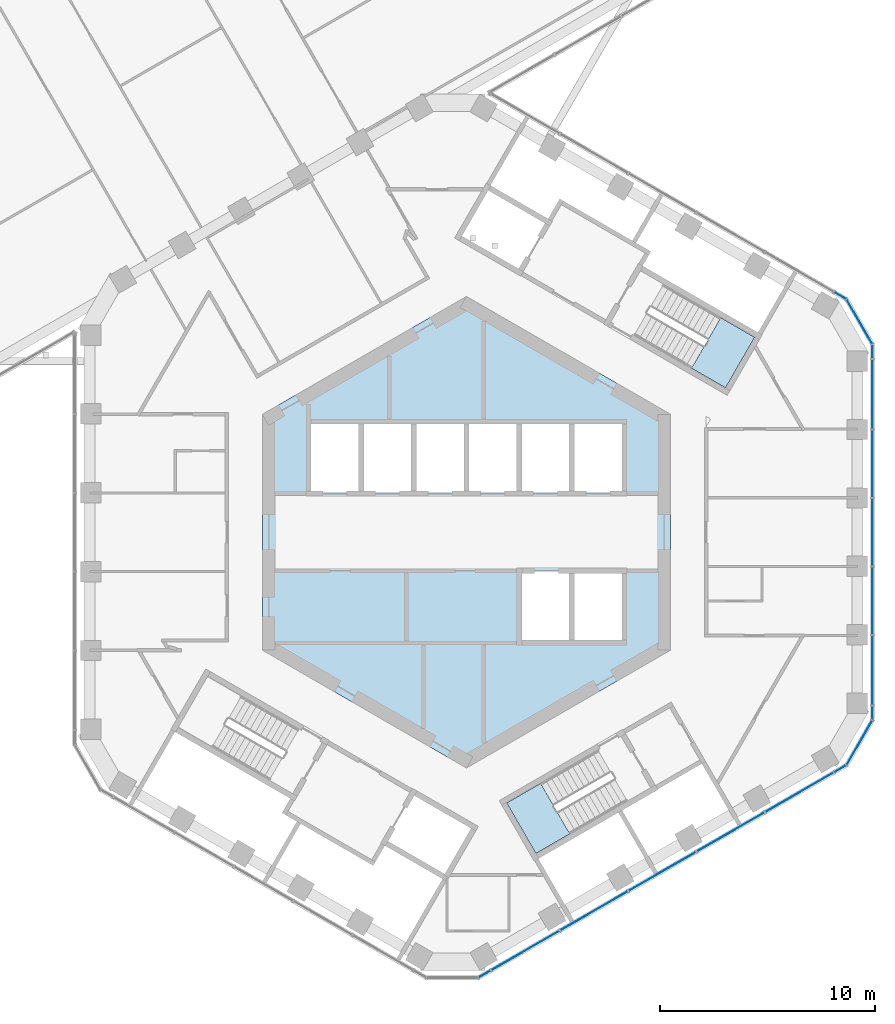
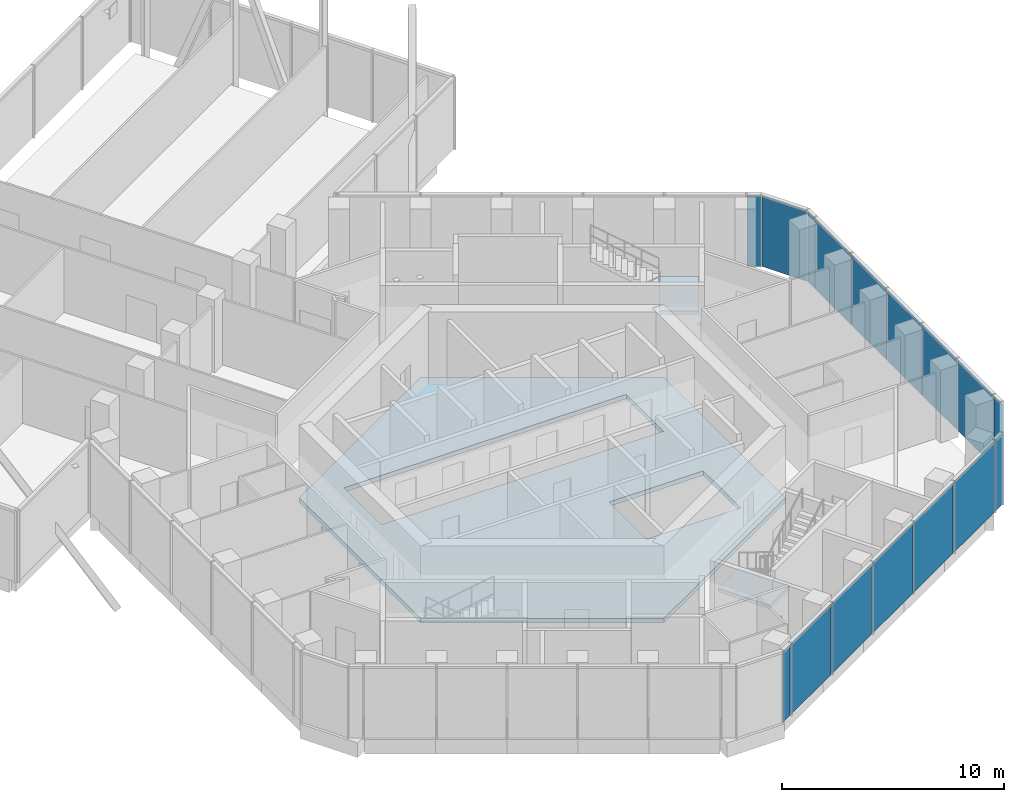
# One storey, part 12 of 21: 17 plates, 3 slabs, 7 elements without a shape of their own.
"""IFC4 building model written with IfcOpenShell, lengths in metres."""

from ifc_helpers import new_model, si_unit, direction, frame, origin, origin_2d, place, context, subcontext, project, spatial, polyline, rectangle, outline, extrude, material, layer, layer_set, type_object, element, aggregate, save


model = new_model("IFC4")

# Units and contexts
model_context = context("Model", 3, precision=1e-05, world=origin(), true_north=direction((0.0, 1.0)))
body_context = subcontext(model_context, "Body", "Model", "MODEL_VIEW")
ifc_project = project(units=[si_unit("LENGTHUNIT", "METRE"), si_unit("AREAUNIT", "SQUARE_METRE"), si_unit("VOLUMEUNIT", "CUBIC_METRE"), si_unit("PLANEANGLEUNIT", "RADIAN"), si_unit("MASSUNIT", "GRAM", prefix="KILO")], contexts=[model_context])

# Site, building, storey
site_placement = place(None, origin())
site = spatial("IfcSite", under=ifc_project, at=site_placement, CompositionType="ELEMENT")
building_placement = place(site_placement, origin())
building = spatial("IfcBuilding", under=site, at=building_placement, Name="Ayvan Gate Tower", CompositionType="ELEMENT")
storey_placement = place(building_placement, frame((0.0, 0.0, 190.699951171875)))
storey = spatial("IfcBuildingStorey", under=building, at=storey_placement, Name="L51", CompositionType="ELEMENT", Elevation=190.699951171875)

# Slab
ifc_material_1 = material(Name="Concrete C40/50", Category="concrete")
ifc_layer_1 = layer(ifc_material_1, 0.25)
ifc_layer_set_1 = layer_set([ifc_layer_1], Name="Concrete C40/50")
slab_type_1 = type_object("IfcSlabType", Name="SL-CORE-250", PredefinedType="FLOOR", material=ifc_layer_set_1)
slab_1_placement = place(storey_placement, frame((0.0, 0.0, -0.25)))
element("IfcSlab", 1, at=slab_1_placement, inside=storey, type_object=slab_type_1, Name="CS-L51", PredefinedType="FLOOR", context=body_context, shape_type="SweptSolid", body=[
    extrude(outline(polyline([(9.5, -5.48486328125), (0.0, -10.9697265625), (-9.5, -5.48486328125), (-9.5, 5.48486328125), (0.0, 10.9697265625), (9.5, 5.48486328125), (9.5, -5.48486328125)]), holes=[polyline([(-7.35009765625, 5.14990234375), (-7.35009765625, 1.800048828125), (7.35009765625, 1.800048828125), (7.35009765625, 5.14990234375), (-7.35009765625, 5.14990234375)]), polyline([(2.449951171875, -1.800048828125), (2.449951171875, -5.14990234375), (7.35009765625, -5.14990234375), (7.35009765625, -1.800048828125), (2.449951171875, -1.800048828125)])]), origin(), (0.0, 0.0, 1.0), 0.25),
])

# Stair, slab
stair_type = type_object("IfcStairType", Name="ST-EXIT", PredefinedType="HALF_TURN_STAIR", material=ifc_material_1)
stair_1_placement = place(storey_placement, origin())
stair_1 = element("IfcStair", 2, at=stair_1_placement, inside=storey, type_object=stair_type, Name="L51 Exit Stair S1", PredefinedType="HALF_TURN_STAIR")
ifc_layer_2 = layer(ifc_material_1, 0.199951171875)
ifc_layer_set_2 = layer_set([ifc_layer_2], Name="Concrete C40/50")
slab_type_2 = type_object("IfcSlabType", Name="SL-LANDING-200", PredefinedType="LANDING", material=ifc_layer_set_2)
slab_2_placement = place(storey_placement, frame((0.0, 0.0, 1.800048828125)))
slab_2 = element("IfcSlab", 3, at=slab_2_placement, type_object=slab_type_2, Name="STS1 landing 1", PredefinedType="LANDING", context=body_context, shape_type="SweptSolid", body=[
    extrude(outline(polyline([(10.473388671875, 7.630615234375), (12.049560546875, 6.720458984375), (13.404541015625, 9.0673828125), (11.828369140625, 9.9775390625), (10.473388671875, 7.630615234375)])), origin(), (0.0, 0.0, 1.0), 0.199951171875),
])
aggregate(stair_1, [slab_2])

stair_2_placement = place(storey_placement, origin())
stair_2 = element("IfcStair", 4, at=stair_2_placement, inside=storey, type_object=stair_type, Name="L51 Exit Stair S3", PredefinedType="HALF_TURN_STAIR")
slab_3_placement = place(storey_placement, frame((0.0, 0.0, 1.800048828125)))
slab_3 = element("IfcSlab", 5, at=slab_3_placement, type_object=slab_type_2, Name="STS3 landing 1", PredefinedType="LANDING", context=body_context, shape_type="SweptSolid", body=[
    extrude(outline(polyline([(3.449951171875, -11.685546875), (1.873779296875, -12.595458984375), (3.228759765625, -14.9423828125), (4.804931640625, -14.032470703125), (3.449951171875, -11.685546875)])), origin(), (0.0, 0.0, 1.0), 0.199951171875),
])
aggregate(stair_2, [slab_3])

# Curtain wall, plates
ifc_material_2 = material(Name="Bronze anodised aluminium", Category="aluminium")
ifc_layer_3 = layer(ifc_material_2, 0.199951171875)
ifc_layer_set_3 = layer_set([ifc_layer_3], Name="Bronze anodised aluminium")
curtain_wall_type_1 = type_object("IfcCurtainWallType", Name="Stick curtain wall CW-2", PredefinedType="NOTDEFINED", material=ifc_layer_set_3)
curtain_wall_1_placement = place(storey_placement, origin())
curtain_wall_1 = element("IfcCurtainWall", 6, at=curtain_wall_1_placement, inside=storey, type_object=curtain_wall_type_1, Name="Stick curtain wall CW-2 L51", PredefinedType="NOTDEFINED")
ifc_material_3 = material(Name="Clear low-iron laminated glass", Category="glass")
ifc_layer_4 = layer(ifc_material_3, 0.028076171875)
ifc_layer_set_4 = layer_set([ifc_layer_4], Name="Clear low-iron laminated glass")
plate_type_1 = type_object("IfcPlateType", Name="Stick curtain wall CW-2 glass panel", PredefinedType="CURTAIN_PANEL", material=ifc_layer_set_4)
plate_1_placement = place(storey_placement, frame((2.726318359375, -19.46826171875, 0.0), z_axis=(0.0, 0.0, 1.0), x_axis=(0.866025403784, 0.5, 0.0)))
plate_1 = element("IfcPlate", 7, at=plate_1_placement, type_object=plate_type_1, Name="CW-2 glass panel 1", PredefinedType="CURTAIN_PANEL", context=body_context, shape_type="SweptSolid", body=[
    extrude(rectangle(XDim=3.669921875, YDim=0.028076171875, at=origin_2d()), origin(), (0.0, 0.0, 1.0), 3.8798828125),
])
plate_2_placement = place(storey_placement, frame((5.9345703125, -17.615966796875, 0.0), z_axis=(0.0, 0.0, 1.0), x_axis=(0.866025403784, 0.5, 0.0)))
plate_2 = element("IfcPlate", 8, at=plate_2_placement, type_object=plate_type_1, Name="CW-2 glass panel 2", PredefinedType="CURTAIN_PANEL", context=body_context, shape_type="SweptSolid", body=[
    extrude(rectangle(XDim=3.59912109375, YDim=0.028076171875, at=origin_2d()), origin(), (0.0, 0.0, 1.0), 3.8798828125),
])
plate_3_placement = place(storey_placement, frame((9.111572265625, -15.78173828125, 0.0), z_axis=(0.0, 0.0, 1.0), x_axis=(0.866025403784, 0.5, 0.0)))
plate_3 = element("IfcPlate", 9, at=plate_3_placement, type_object=plate_type_1, Name="CW-2 glass panel 3", PredefinedType="CURTAIN_PANEL", context=body_context, shape_type="SweptSolid", body=[
    extrude(rectangle(XDim=3.597900390625, YDim=0.028076171875, at=origin_2d()), origin(), (0.0, 0.0, 1.0), 3.8798828125),
])
plate_4_placement = place(storey_placement, frame((12.28857421875, -13.947509765625, 0.0), z_axis=(0.0, 0.0, 1.0), x_axis=(0.866025403784, 0.5, 0.0)))
plate_4 = element("IfcPlate", 10, at=plate_4_placement, type_object=plate_type_1, Name="CW-2 glass panel 4", PredefinedType="CURTAIN_PANEL", context=body_context, shape_type="SweptSolid", body=[
    extrude(rectangle(XDim=3.59912109375, YDim=0.028076171875, at=origin_2d()), origin(), (0.0, 0.0, 1.0), 3.8798828125),
])
plate_5_placement = place(storey_placement, frame((15.496826171875, -12.09521484375, 0.0), z_axis=(0.0, 0.0, 1.0), x_axis=(0.866025403784, 0.5, 0.0)))
plate_5 = element("IfcPlate", 11, at=plate_5_placement, type_object=plate_type_1, Name="CW-2 glass panel 5", PredefinedType="CURTAIN_PANEL", context=body_context, shape_type="SweptSolid", body=[
    extrude(rectangle(XDim=3.670166015625, YDim=0.028076171875, at=origin_2d()), origin(), (0.0, 0.0, 1.0), 3.8798828125),
])
aggregate(curtain_wall_1, [plate_1, plate_2, plate_3, plate_4, plate_5])

curtain_wall_2_placement = place(storey_placement, origin())
curtain_wall_2 = element("IfcCurtainWall", 12, at=curtain_wall_2_placement, inside=storey, type_object=curtain_wall_type_1, Name="Stick curtain wall CW-2 L51", PredefinedType="NOTDEFINED")
plate_6_placement = place(storey_placement, frame((18.886474609375, -6.435791015625, 0.0), z_axis=(0.0, 0.0, 1.0), x_axis=(0.0, 1.0, 0.0)))
plate_6 = element("IfcPlate", 13, at=plate_6_placement, type_object=plate_type_1, Name="CW-2 glass panel 1", PredefinedType="CURTAIN_PANEL", context=body_context, shape_type="SweptSolid", body=[
    extrude(rectangle(XDim=3.2470703125, YDim=0.028076171875, at=origin_2d()), origin(), (0.0, 0.0, 1.0), 3.8798828125),
])
plate_7_placement = place(storey_placement, frame((18.886474609375, -3.184814453125, 0.0), z_axis=(0.0, 0.0, 1.0), x_axis=(0.0, 1.0, 0.0)))
plate_7 = element("IfcPlate", 14, at=plate_7_placement, type_object=plate_type_1, Name="CW-2 glass panel 2", PredefinedType="CURTAIN_PANEL", context=body_context, shape_type="SweptSolid", body=[
    extrude(rectangle(XDim=3.114990234375, YDim=0.028076171875, at=origin_2d()), origin(), (0.0, 0.0, 1.0), 3.8798828125),
])
plate_8_placement = place(storey_placement, frame((18.886474609375, 0.000244140625, 0.0), z_axis=(0.0, 0.0, 1.0), x_axis=(0.0, 1.0, 0.0)))
plate_8 = element("IfcPlate", 15, at=plate_8_placement, type_object=plate_type_1, Name="CW-2 glass panel 3", PredefinedType="CURTAIN_PANEL", context=body_context, shape_type="SweptSolid", body=[
    extrude(rectangle(XDim=3.114990234375, YDim=0.028076171875, at=origin_2d()), origin(), (0.0, 0.0, 1.0), 3.8798828125),
])
plate_9_placement = place(storey_placement, frame((18.886474609375, 3.184814453125, 0.0), z_axis=(0.0, 0.0, 1.0), x_axis=(0.0, 1.0, 0.0)))
plate_9 = element("IfcPlate", 16, at=plate_9_placement, type_object=plate_type_1, Name="CW-2 glass panel 4", PredefinedType="CURTAIN_PANEL", context=body_context, shape_type="SweptSolid", body=[
    extrude(rectangle(XDim=3.114013671875, YDim=0.028076171875, at=origin_2d()), origin(), (0.0, 0.0, 1.0), 3.8798828125),
])
plate_10_placement = place(storey_placement, frame((18.886474609375, 6.435546875, 0.0), z_axis=(0.0, 0.0, 1.0), x_axis=(0.0, 1.0, 0.0)))
plate_10 = element("IfcPlate", 17, at=plate_10_placement, type_object=plate_type_1, Name="CW-2 glass panel 5", PredefinedType="CURTAIN_PANEL", context=body_context, shape_type="SweptSolid", body=[
    extrude(rectangle(XDim=3.247314453125, YDim=0.028076171875, at=origin_2d()), origin(), (0.0, 0.0, 1.0), 3.8798828125),
])
aggregate(curtain_wall_2, [plate_6, plate_7, plate_8, plate_9, plate_10])

# Curtain wall, plate
ifc_layer_5 = layer(ifc_material_2, 0.199951171875)
ifc_layer_set_5 = layer_set([ifc_layer_5], Name="Bronze anodised aluminium")
curtain_wall_type_2 = type_object("IfcCurtainWallType", Name="Stick curtain wall CW-6", PredefinedType="NOTDEFINED", material=ifc_layer_set_5)
curtain_wall_3_placement = place(storey_placement, origin())
curtain_wall_3 = element("IfcCurtainWall", 18, at=curtain_wall_3_placement, inside=storey, type_object=curtain_wall_type_2, Name="Stick curtain wall CW-6 L51", PredefinedType="NOTDEFINED")
ifc_layer_6 = layer(ifc_material_3, 0.028076171875)
ifc_layer_set_6 = layer_set([ifc_layer_6], Name="Clear low-iron laminated glass")
plate_type_2 = type_object("IfcPlateType", Name="Stick curtain wall CW-6 glass panel", PredefinedType="CURTAIN_PANEL", material=ifc_layer_set_6)
plate_11_placement = place(storey_placement, frame((0.836181640625, -20.5595703125, 0.0), z_axis=(0.0, 0.0, 1.0), x_axis=(0.866025403784, 0.5, 0.0)))
plate_11 = element("IfcPlate", 19, at=plate_11_placement, type_object=plate_type_2, Name="CW-6 glass panel 3", PredefinedType="CURTAIN_PANEL", context=body_context, shape_type="SweptSolid", body=[
    extrude(rectangle(XDim=0.625, YDim=0.028076171875, at=origin_2d()), origin(), (0.0, 0.0, 1.0), 3.8798828125),
])
aggregate(curtain_wall_3, [plate_11])

# Curtain wall, plates
curtain_wall_4_placement = place(storey_placement, origin())
curtain_wall_4 = element("IfcCurtainWall", 20, at=curtain_wall_4_placement, inside=storey, type_object=curtain_wall_type_2, Name="Stick curtain wall CW-6 L51", PredefinedType="NOTDEFINED")
plate_12_placement = place(storey_placement, frame((17.386962890625, -11.00390625, 0.0), z_axis=(0.0, 0.0, 1.0), x_axis=(0.866025403784, 0.5, 0.0)))
plate_12 = element("IfcPlate", 21, at=plate_12_placement, type_object=plate_type_2, Name="CW-6 glass panel 1", PredefinedType="CURTAIN_PANEL", context=body_context, shape_type="SweptSolid", body=[
    extrude(rectangle(XDim=0.625, YDim=0.028076171875, at=origin_2d()), origin(), (0.0, 0.0, 1.0), 3.8798828125),
])
plate_13_placement = place(storey_placement, frame((18.282958984375, -9.789794921875, 0.0), z_axis=(0.0, 0.0, 1.0), x_axis=(0.5, 0.866025403784, 0.0)))
plate_13 = element("IfcPlate", 22, at=plate_13_placement, type_object=plate_type_2, Name="CW-6 glass panel 2", PredefinedType="CURTAIN_PANEL", context=body_context, shape_type="SweptSolid", body=[
    extrude(rectangle(XDim=2.364501953125, YDim=0.028076171875, at=origin_2d()), origin(), (0.0, 0.0, 1.0), 3.8798828125),
])
plate_14_placement = place(storey_placement, frame((18.886474609375, -8.40673828125, 0.0), z_axis=(0.0, 0.0, 1.0), x_axis=(0.0, 1.0, 0.0)))
plate_14 = element("IfcPlate", 23, at=plate_14_placement, type_object=plate_type_2, Name="CW-6 glass panel 3", PredefinedType="CURTAIN_PANEL", context=body_context, shape_type="SweptSolid", body=[
    extrude(rectangle(XDim=0.625, YDim=0.028076171875, at=origin_2d()), origin(), (0.0, 0.0, 1.0), 3.8798828125),
])
aggregate(curtain_wall_4, [plate_12, plate_13, plate_14])

curtain_wall_5_placement = place(storey_placement, origin())
curtain_wall_5 = element("IfcCurtainWall", 24, at=curtain_wall_5_placement, inside=storey, type_object=curtain_wall_type_2, Name="Stick curtain wall CW-6 L51", PredefinedType="NOTDEFINED")
plate_15_placement = place(storey_placement, frame((18.886474609375, 8.40673828125, 0.0), z_axis=(0.0, 0.0, 1.0), x_axis=(0.0, 1.0, 0.0)))
plate_15 = element("IfcPlate", 25, at=plate_15_placement, type_object=plate_type_2, Name="CW-6 glass panel 1", PredefinedType="CURTAIN_PANEL", context=body_context, shape_type="SweptSolid", body=[
    extrude(rectangle(XDim=0.625, YDim=0.028076171875, at=origin_2d()), origin(), (0.0, 0.0, 1.0), 3.8798828125),
])
plate_16_placement = place(storey_placement, frame((18.282958984375, 9.789794921875, 0.0), z_axis=(0.0, 0.0, 1.0), x_axis=(-0.5, 0.866025403784, 0.0)))
plate_16 = element("IfcPlate", 26, at=plate_16_placement, type_object=plate_type_2, Name="CW-6 glass panel 2", PredefinedType="CURTAIN_PANEL", context=body_context, shape_type="SweptSolid", body=[
    extrude(rectangle(XDim=2.364501953125, YDim=0.028076171875, at=origin_2d()), origin(), (0.0, 0.0, 1.0), 3.8798828125),
])
plate_17_placement = place(storey_placement, frame((17.386962890625, 11.00390625, 0.0), z_axis=(0.0, 0.0, 1.0), x_axis=(-0.866025403784, 0.5, 0.0)))
plate_17 = element("IfcPlate", 27, at=plate_17_placement, type_object=plate_type_2, Name="CW-6 glass panel 3", PredefinedType="CURTAIN_PANEL", context=body_context, shape_type="SweptSolid", body=[
    extrude(rectangle(XDim=0.625, YDim=0.028076171875, at=origin_2d()), origin(), (0.0, 0.0, 1.0), 3.8798828125),
])
aggregate(curtain_wall_5, [plate_15, plate_16, plate_17])

save(model, "model.ifc")
